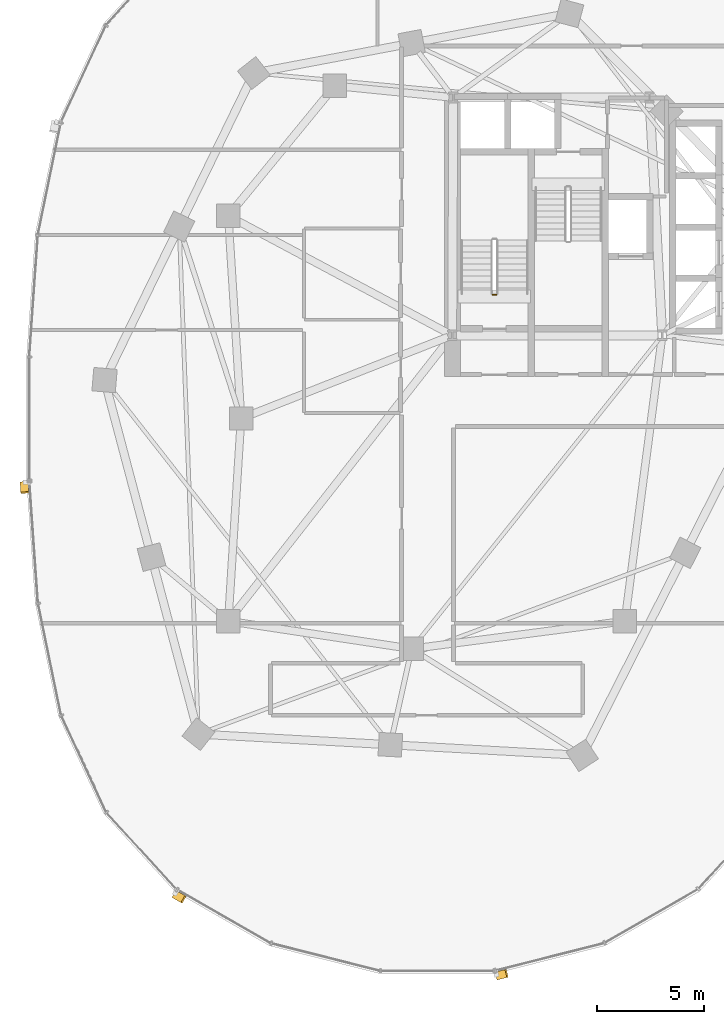
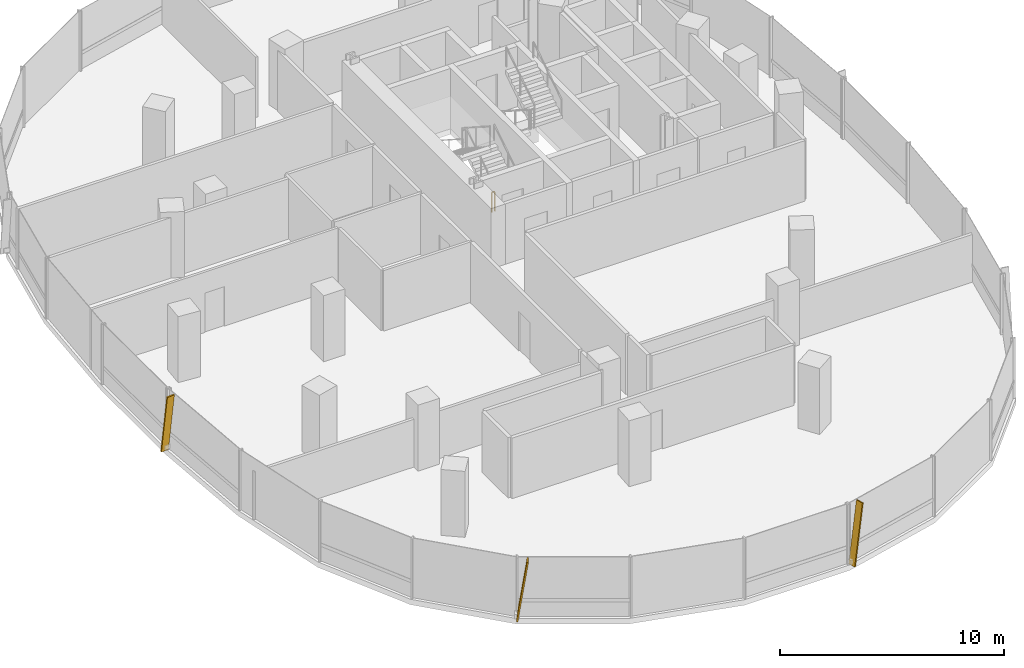
# One storey, part 17 of 21: 3 shading devices, 1 railing.
"""IFC4 building model written with IfcOpenShell, lengths in metres."""

from ifc_helpers import new_model, si_unit, direction, frame, origin, origin_2d, place, context, subcontext, project, spatial, rectangle, extrude, material, material_profile, profile_set, type_object, element, save


model = new_model("IFC4")

# Units and contexts
model_context = context("Model", 3, precision=1e-05, world=origin(), true_north=direction((0.0, 1.0)))
body_context = subcontext(model_context, "Body", "Model", "MODEL_VIEW")
ifc_project = project(units=[si_unit("LENGTHUNIT", "METRE"), si_unit("AREAUNIT", "SQUARE_METRE"), si_unit("VOLUMEUNIT", "CUBIC_METRE"), si_unit("PLANEANGLEUNIT", "RADIAN"), si_unit("MASSUNIT", "GRAM", prefix="KILO"), si_unit("THERMODYNAMICTEMPERATUREUNIT", "KELVIN"), si_unit("POWERUNIT", "WATT")], contexts=[model_context])

# Site, building, storey
site_placement = place(None, origin())
site = spatial("IfcSite", under=ifc_project, at=site_placement, CompositionType="ELEMENT")
building_placement = place(site_placement, origin())
building = spatial("IfcBuilding", under=site, at=building_placement, Name="Cundina Bronze Exchange", CompositionType="ELEMENT")
storey_placement = place(building_placement, frame((0.0, 0.0, 107.0)))
storey = spatial("IfcBuildingStorey", under=building, at=storey_placement, Name="L27", CompositionType="ELEMENT", Elevation=107.0)

# Railing
ifc_material_1 = material(Name="Steel ASTM A36 Painted", Category="steel")
railing_type = type_object("IfcRailingType", Name="RLG-STG-1100", PredefinedType="GUARDRAIL", material=ifc_material_1)
railing_placement = place(storey_placement, frame((-29.239990234375, 5.800048828125, 0.0)))
element("IfcRailing", 1, at=railing_placement, inside=storey, type_object=railing_type, Name="L27 ST-W1 stair guard 4", PredefinedType="GUARDRAIL", context=body_context, shape_type="SweptSolid", body=[
    extrude(rectangle(XDim=0.048095703125, YDim=0.048095703125, at=origin_2d()), frame((0.0, 0.0, 1.076171875), z_axis=(-1.0, 0.0, 0.0), x_axis=(0.0, -1.0, 0.0)), (0.0, 0.0, 1.0), 0.159912109375),
    extrude(rectangle(XDim=0.0419921875, YDim=0.0419921875, at=origin_2d()), origin(), (0.0, 0.0, 1.0), 1.052001953125),
    extrude(rectangle(XDim=0.0419921875, YDim=0.0419921875, at=origin_2d()), frame((-0.159912109375, 0.0, 0.0)), (0.0, 0.0, 1.0), 1.052001953125),
])

# Shading devices
ifc_material_2 = material(Name="Anodised Bronze Aluminium 6063-T6", Category="aluminium")
ifc_material_profile = material_profile(ifc_material_2, rectangle(XDim=0.070068359375, YDim=0.3798828125, at=origin_2d()), Name="FIN70X380", Category="aluminium")
ifc_profile_set = profile_set([ifc_material_profile], Name="Anodised Bronze Aluminium 6063-T6")
shading_device_type = type_object("IfcShadingDeviceType", Name="SHD-FIN-BRZ380", PredefinedType="USERDEFINED", material=ifc_profile_set)
for number, where, z_axis, x_axis, name in (
    (2, (-51.3740234375, -2.993896484375, 0.02001953125), (0.010224545828, -0.145292278041, 0.989335945271), (-0.069450050635, 0.986895284755, 0.145651595925), "L27 Diagonal Bronze Solar Fin 1"),
    (3, (-44.314208984375, -22.314208984375, 0.02001953125), (0.126324692219, -0.072534823274, 0.989333498649), (-0.857958278167, 0.492634108109, 0.145668213594), "L27 Diagonal Bronze Solar Fin 5"),
    (4, (-29.212646484375, -26.138427734375, 0.02001953125), (0.141217047268, 0.035711761166, 0.989334329575), (-0.95914051701, -0.242552848478, 0.145662570088), "L27 Diagonal Bronze Solar Fin 1"),
):
    element("IfcShadingDevice", number, at=place(storey_placement, frame(where, z_axis=z_axis, x_axis=x_axis)), inside=storey, type_object=shading_device_type, Name=name, ObjectType="FIN", PredefinedType="USERDEFINED", context=body_context, shape_type="SweptSolid", body=[
        extrude(rectangle(XDim=0.070068359375, YDim=0.3798828125, at=origin_2d()), origin(), (0.0, 0.0, 1.0), 3.295166015625),
    ])

save(model, "model.ifc")
